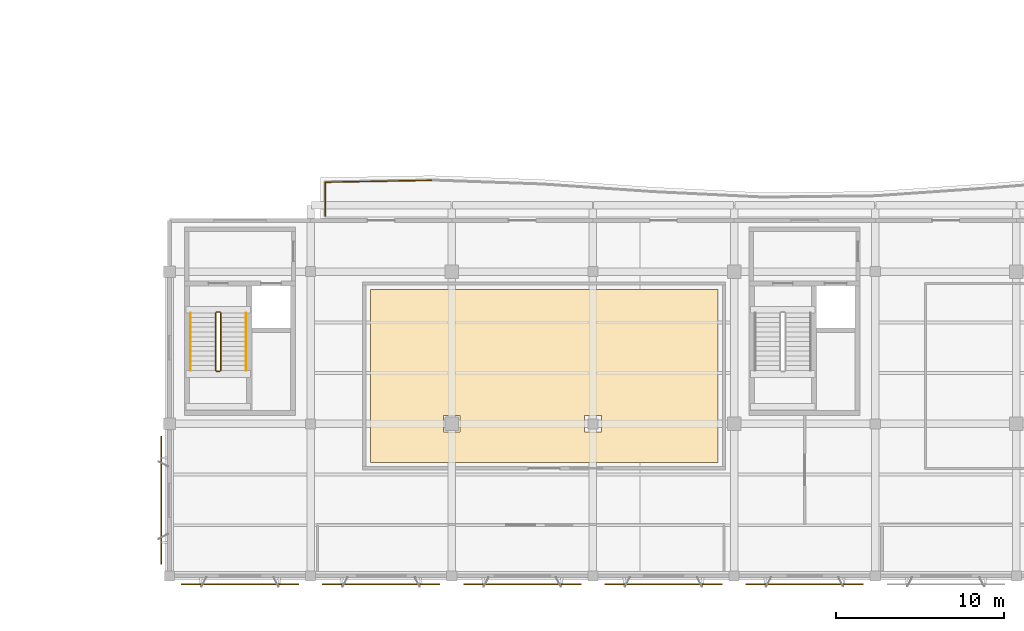
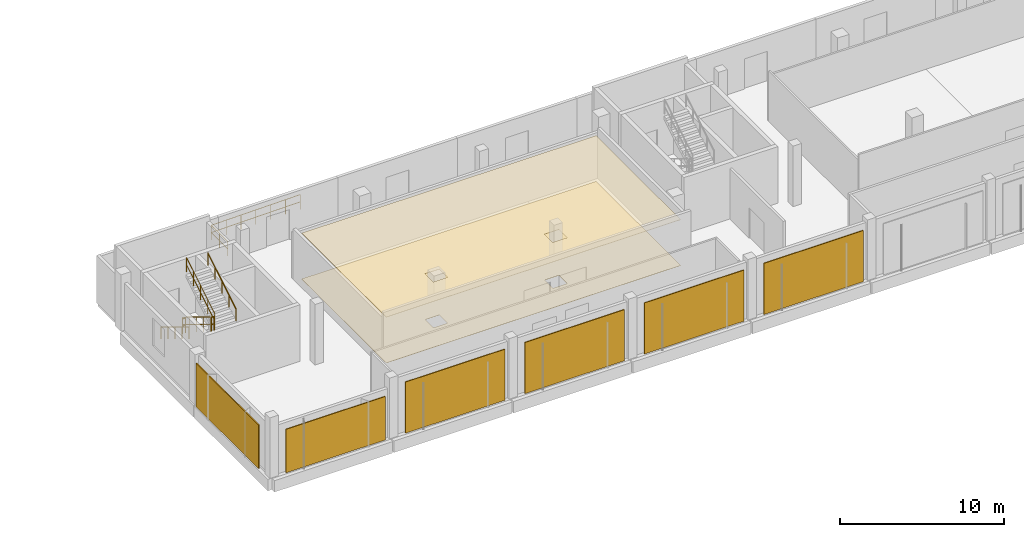
# One storey, part 24 of 28: 8 railings, 6 shading devices, 2 coverings.
"""IFC4 building model written with IfcOpenShell, lengths in metres."""

import ifcopenshell
import ifcopenshell.guid

model = None  # the IFC model being written
_history = None  # IfcOwnerHistory: only IFC2X3 demands one
_inside = {}  # id of a spatial element -> (the spatial element, [elements in it])
_under = {}  # id of a project, library or spatial element -> (it, [spatial elements below it])
_declared = {}  # id of a project -> (the project, [libraries it declares])
_typed = {}  # id of a type object -> (the type object, [elements of that type])
_made_of = {}  # id of a material, layer set ... -> (it, [elements and type objects made of it])


def new_model(schema):
    """Start an empty IFC model of exactly this schema.

    Asked for "IFC4X3", IfcOpenShell would pick the latest addendum, in which some entities
    have other attributes; the version numbers below select the first issue.
    IFC2X3 requires an IfcOwnerHistory on every rooted entity: one is made here for all.
    """
    global model, _history
    if schema == "IFC4X3":
        model = ifcopenshell.file(schema_version=(4, 3, 0, 0))
    else:
        model = ifcopenshell.file(schema=schema)
    _inside.clear()
    _under.clear()
    _declared.clear()
    _typed.clear()
    _made_of.clear()
    _history = None
    if model.schema == "IFC2X3":
        org = make("IfcOrganization", Name="unknown")
        user = make(
            "IfcPersonAndOrganization",
            ThePerson=make("IfcPerson", FamilyName="unknown"),
            TheOrganization=org,
        )
        app = make(
            "IfcApplication",
            ApplicationDeveloper=org,
            Version="unknown",
            ApplicationFullName="unknown",
            ApplicationIdentifier="unknown",
        )
        _history = make(
            "IfcOwnerHistory",
            OwningUser=user,
            OwningApplication=app,
            ChangeAction="ADDED",
            CreationDate=0,
        )
    return model


def make(cls, **values):
    """One entity of the class cls with the attributes given. An attribute that is None is left unset."""
    return model.create_entity(
        cls, **{name: value for name, value in values.items() if value is not None}
    )


def rooted(cls, **values):
    """An entity with a GlobalId (a new one), such as an element, a storey or a relation."""
    return make(cls, GlobalId=ifcopenshell.guid.new(), OwnerHistory=_history, **values)


def si_unit(unit_type, name, prefix=None):
    """IfcSIUnit, for example si_unit("LENGTHUNIT", "METRE", prefix="MILLI")."""
    return make("IfcSIUnit", UnitType=unit_type, Prefix=prefix, Name=name)


def assignment(units):
    """IfcUnitAssignment: the units of a project."""
    return None if units is None else make("IfcUnitAssignment", Units=units)


def point(xyz):
    """IfcCartesianPoint."""
    return None if xyz is None else make("IfcCartesianPoint", Coordinates=xyz)


def direction(xyz):
    """IfcDirection."""
    return None if xyz is None else make("IfcDirection", DirectionRatios=xyz)


def frame(location, z_axis=None, x_axis=None):
    """IfcAxis2Placement3D, a coordinate frame: its origin and axes. An axis left out is left unset."""
    return make(
        "IfcAxis2Placement3D",
        Location=point(location),
        Axis=direction(z_axis),
        RefDirection=direction(x_axis),
    )


def frame_2d(location, x_axis=None):
    """IfcAxis2Placement2D, a coordinate frame in the plane: its origin and x axis."""
    return make(
        "IfcAxis2Placement2D", Location=point(location), RefDirection=direction(x_axis)
    )


def origin():
    """The frame at (0, 0, 0) with its axes left unset."""
    return frame((0.0, 0.0, 0.0))


def origin_2d():
    """The frame at (0, 0) in the plane with its x axis left unset."""
    return frame_2d((0.0, 0.0))


def place(relative_to, where):
    """IfcLocalPlacement: puts the frame where relative to a parent placement (None: the world)."""
    return make(
        "IfcLocalPlacement", PlacementRelTo=relative_to, RelativePlacement=where
    )


def context(
    kind, dimensions, precision=None, world=None, true_north=None, identifier=None
):
    """IfcGeometricRepresentationContext, for example the 3D "Model" context."""
    return make(
        "IfcGeometricRepresentationContext",
        ContextIdentifier=identifier,
        ContextType=kind,
        CoordinateSpaceDimension=dimensions,
        Precision=precision,
        WorldCoordinateSystem=world,
        TrueNorth=true_north,
    )


def subcontext(parent, identifier, kind, view, scale=None):
    """IfcGeometricRepresentationSubContext, for example "Body" below "Model"."""
    return make(
        "IfcGeometricRepresentationSubContext",
        ContextIdentifier=identifier,
        ContextType=kind,
        ParentContext=parent,
        TargetScale=scale,
        TargetView=view,
    )


def project(units=None, contexts=None):
    """IfcProject with its units and contexts."""
    return rooted(
        "IfcProject",
        Name="project",
        RepresentationContexts=contexts,
        UnitsInContext=assignment(units),
    )


def spatial(cls, under=None, at=None, **own):
    """A site, building, storey or space (cls), placed at a placement, below another one or the project."""
    s = rooted(cls, ObjectPlacement=at, **own)
    if under is not None:
        _under.setdefault(under.id(), (under, []))[1].append(s)
    return s


def polyline(points):
    """IfcPolyline through the points."""
    return make("IfcPolyline", Points=[point(p) for p in points])


def profile(cls, at=None, kind="AREA", **sizes):
    """A parametric profile (cls). Its sizes go by their IFC names, for example OverallWidth=200.0."""
    return make(cls, ProfileType=kind, Position=at, **sizes)


def rectangle(**sizes):
    """IfcRectangleProfileDef."""
    return profile("IfcRectangleProfileDef", **sizes)


def circle(**sizes):
    """IfcCircleProfileDef."""
    return profile("IfcCircleProfileDef", **sizes)


def outline(outer, holes=None, kind="AREA"):
    """IfcArbitraryClosedProfileDef: a profile drawn as a closed curve; with holes, ...WithVoids."""
    if holes is None:
        return make("IfcArbitraryClosedProfileDef", ProfileType=kind, OuterCurve=outer)
    return make(
        "IfcArbitraryProfileDefWithVoids",
        ProfileType=kind,
        OuterCurve=outer,
        InnerCurves=holes,
    )


def extrude(swept, where, along, depth):
    """IfcExtrudedAreaSolid: the profile swept, set in the frame where, extruded along a direction by depth."""
    return make(
        "IfcExtrudedAreaSolid",
        SweptArea=swept,
        Position=where,
        ExtrudedDirection=direction(along),
        Depth=depth,
    )


def shape(context_of_items, identifier, shape_type, items):
    """IfcShapeRepresentation: the items that make up one representation, for example the "Body"."""
    return make(
        "IfcShapeRepresentation",
        ContextOfItems=context_of_items,
        RepresentationIdentifier=identifier,
        RepresentationType=shape_type,
        Items=items,
    )


def material(Name=None, Category=None):
    """IfcMaterial."""
    return make("IfcMaterial", Name=Name, Category=Category)


def layer(
    of_material, thickness, ventilated=None, Name=None, Category=None, Priority=None
):
    """IfcMaterialLayer: one layer of a wall or slab, of a material (None: an air gap)."""
    return make(
        "IfcMaterialLayer",
        Material=of_material,
        LayerThickness=thickness,
        IsVentilated=ventilated,
        Name=Name,
        Category=Category,
        Priority=Priority,
    )


def layer_set(layers, Name=None):
    """IfcMaterialLayerSet."""
    return make("IfcMaterialLayerSet", MaterialLayers=layers, LayerSetName=Name)


def made_of(thing, what):
    """Note that an element or type object is made of a material, layer set ...; save() writes the relation."""
    if what is not None:
        _made_of.setdefault(what.id(), (what, []))[1].append(thing)
    return thing


def type_object(cls, material=None, **own):
    """A type object (cls), such as IfcWallType, which elements share."""
    return made_of(rooted(cls, **own), material)


def element(
    cls,
    number,
    at=None,
    inside=None,
    cuts=None,
    type_object=None,
    material=None,
    context=None,
    identifier="Body",
    shape_type=None,
    held_by="IfcProductDefinitionShape",
    body=None,
    shapes=None,
    **own,
):
    """One element of the class cls, such as IfcWall. Its Tag is "e" and its number.

    at: its placement. inside: the storey or other place that contains it. cuts: it is an
    opening in that element (IfcRelVoidsElement). A single representation is given by context,
    identifier, shape_type and body (its items); several are given by shapes. held_by: the class
    of the entity that holds the representations. save() writes the other relations.
    """
    e = rooted(cls, Tag="e%d" % number, ObjectPlacement=at, **own)
    if body is not None:
        shapes = [shape(context, identifier, shape_type, body)]
    if shapes is not None:
        e.Representation = make(held_by, Representations=shapes)
    if inside is not None:
        _inside.setdefault(inside.id(), (inside, []))[1].append(e)
    if cuts is not None:
        rooted(
            "IfcRelVoidsElement", RelatingBuildingElement=cuts, RelatedOpeningElement=e
        )
    if type_object is not None:
        _typed.setdefault(type_object.id(), (type_object, []))[1].append(e)
    return made_of(e, material)


def aggregate(whole, parts):
    """IfcRelAggregates: a whole, such as a stair, and the parts it consists of."""
    return rooted("IfcRelAggregates", RelatingObject=whole, RelatedObjects=parts)


def save(model, path):
    """Write the relations noted so far, then the file.

    IfcRelAggregates (storeys below a building ...), IfcRelContainedInSpatialStructure (elements
    in a storey), IfcRelDefinesByType, IfcRelAssociatesMaterial and IfcRelDeclares: one each for
    every whole, place, type object, material and project.
    """
    for whole, parts in _under.values():
        aggregate(whole, parts)
    for where, things in _inside.values():
        rooted(
            "IfcRelContainedInSpatialStructure",
            RelatedElements=things,
            RelatingStructure=where,
        )
    for kind, things in _typed.values():
        rooted("IfcRelDefinesByType", RelatedObjects=things, RelatingType=kind)
    for what, things in _made_of.values():
        rooted("IfcRelAssociatesMaterial", RelatedObjects=things, RelatingMaterial=what)
    for by, libraries in _declared.values():
        rooted("IfcRelDeclares", RelatingContext=by, RelatedDefinitions=libraries)
    model.write(path)


model = new_model("IFC4")

# Units and contexts
model_context = context("Model", 3, precision=1e-05, world=origin(), true_north=direction((0.0, 1.0)))
body_context = subcontext(model_context, "Body", "Model", "MODEL_VIEW")
ifc_project = project(units=[si_unit("LENGTHUNIT", "METRE"), si_unit("AREAUNIT", "SQUARE_METRE"), si_unit("VOLUMEUNIT", "CUBIC_METRE"), si_unit("PLANEANGLEUNIT", "RADIAN"), si_unit("MASSUNIT", "GRAM", prefix="KILO")], contexts=[model_context])

# Site, building, storey
site_placement = place(None, origin())
site = spatial("IfcSite", under=ifc_project, at=site_placement, CompositionType="ELEMENT")
building_placement = place(site_placement, origin())
building = spatial("IfcBuilding", under=site, at=building_placement, Name="Khurvash Pelagic Aquarium", CompositionType="ELEMENT")
storey_placement = place(building_placement, frame((0.0, 0.0, 20.10009765625)))
storey = spatial("IfcBuildingStorey", under=building, at=storey_placement, Name="L04", CompositionType="ELEMENT", Elevation=20.10009765625)

# Railings
ifc_material_1 = material(Name="Laminated glass and stainless steel 316", Category="steel")
railing_type_1 = type_object("IfcRailingType", Name="BL-01", PredefinedType="BALUSTRADE", material=ifc_material_1)
railing_1_placement = place(storey_placement, frame((34.47998046875, 24.030029296875, 0.0)))
element("IfcRailing", 1, at=railing_1_placement, inside=storey, type_object=railing_type_1, Name="L04 Planted Terrace Perimeter Balustrade BL-01 0056", PredefinedType="BALUSTRADE", context=body_context, shape_type="SweptSolid", body=[
    extrude(circle(Radius=0.02392578125, at=origin_2d()), frame((0.0, 0.0, 1.076171875), z_axis=(0.0, 1.0, 0.0), x_axis=(-1.0, 0.0, 0.0)), (0.0, 0.0, 1.0), 1.994873046875),
    extrude(circle(Radius=0.02392578125, at=origin_2d()), frame((0.0, 0.0, 0.5380859375), z_axis=(0.0, 1.0, 0.0), x_axis=(-1.0, 0.0, 0.0)), (0.0, 0.0, 1.0), 1.994873046875),
    extrude(circle(Radius=0.02099609375, at=origin_2d()), origin(), (0.0, 0.0, 1.0), 1.052001953125),
    extrude(circle(Radius=0.02099609375, at=origin_2d()), frame((0.0, 0.99755859375, 0.0)), (0.0, 0.0, 1.0), 1.052001953125),
    extrude(circle(Radius=0.02099609375, at=origin_2d()), frame((0.0, 1.994873046875, 0.0)), (0.0, 0.0, 1.0), 1.052001953125),
])
railing_2_placement = place(storey_placement, frame((34.47998046875, 26.02490234375, 0.0)))
element("IfcRailing", 2, at=railing_2_placement, inside=storey, type_object=railing_type_1, Name="L04 Planted Terrace Perimeter Balustrade BL-01 0057", PredefinedType="BALUSTRADE", context=body_context, shape_type="SweptSolid", body=[
    extrude(circle(Radius=0.02392578125, at=origin_2d()), frame((0.0, 0.0, 1.076171875), z_axis=(0.99983994583, 0.017890855842, 0.0), x_axis=(-0.017890855842, 0.99983994583, 0.0)), (0.0, 0.0, 1.0), 6.318115234375),
    extrude(circle(Radius=0.02392578125, at=origin_2d()), frame((0.0, 0.0, 0.5380859375), z_axis=(0.99983994583, 0.017890855842, 0.0), x_axis=(-0.017890855842, 0.99983994583, 0.0)), (0.0, 0.0, 1.0), 6.318115234375),
    extrude(circle(Radius=0.02099609375, at=origin_2d()), origin(), (0.0, 0.0, 1.0), 1.052001953125),
    extrude(circle(Radius=0.02099609375, at=origin_2d()), frame((1.052734375, 0.018798828125, 0.0)), (0.0, 0.0, 1.0), 1.052001953125),
    extrude(circle(Radius=0.02099609375, at=origin_2d()), frame((2.105712890625, 0.03759765625, 0.0)), (0.0, 0.0, 1.0), 1.052001953125),
    extrude(circle(Radius=0.02099609375, at=origin_2d()), frame((3.15869140625, 0.056640625, 0.0)), (0.0, 0.0, 1.0), 1.052001953125),
    extrude(circle(Radius=0.02099609375, at=origin_2d()), frame((4.21142578125, 0.075439453125, 0.0)), (0.0, 0.0, 1.0), 1.052001953125),
    extrude(circle(Radius=0.02099609375, at=origin_2d()), frame((5.26416015625, 0.09423828125, 0.0)), (0.0, 0.0, 1.0), 1.052001953125),
    extrude(circle(Radius=0.02099609375, at=origin_2d()), frame((6.317138671875, 0.113037109375, 0.0)), (0.0, 0.0, 1.0), 1.052001953125),
])

# Coverings
ifc_material_2 = material(Name="Moisture-resistant acoustic mineral-fibre ceiling", Category="finish")
ifc_layer_1 = layer(ifc_material_2, 0.02490234375)
ifc_layer_set_1 = layer_set([ifc_layer_1], Name="Moisture-resistant acoustic mineral-fibre ceiling")
covering_type_1 = type_object("IfcCoveringType", Name="CV-CLG", PredefinedType="CEILING", material=ifc_layer_set_1)
covering_1_placement = place(storey_placement, frame((0.0, 0.0, 3.40283203125)))
element("IfcCovering", 3, at=covering_1_placement, inside=storey, type_object=covering_type_1, Name="L04 Sea Turtle Nesting Conservation Gallery Suspended Acoustic Ceiling", PredefinedType="CEILING", context=body_context, shape_type="SweptSolid", body=[
    extrude(outline(polyline([(37.14990234375, 19.64990234375), (37.14990234375, 9.35009765625), (57.85009765625, 9.35009765625), (57.85009765625, 19.64990234375), (37.14990234375, 19.64990234375)]), holes=[polyline([(42.5, 12.14990234375), (42.5, 11.14990234375), (41.5, 11.14990234375), (41.5, 12.14990234375), (42.5, 12.14990234375)]), polyline([(50.89990234375, 11.14990234375), (49.89990234375, 11.14990234375), (49.89990234375, 12.14990234375), (50.89990234375, 12.14990234375), (50.89990234375, 11.14990234375)])]), origin(), (0.0, 0.0, 1.0), 0.025146484375),
])
ifc_material_3 = material(Name="Slip-resistant terrazzo and epoxy resin flooring", Category="finish")
ifc_layer_2 = layer(ifc_material_3, 0.02001953125)
ifc_layer_set_2 = layer_set([ifc_layer_2], Name="Slip-resistant terrazzo and epoxy resin flooring")
covering_type_2 = type_object("IfcCoveringType", Name="CV-FLR", PredefinedType="FLOORING", material=ifc_layer_set_2)
covering_2_placement = place(storey_placement, origin())
element("IfcCovering", 4, at=covering_2_placement, inside=storey, type_object=covering_type_2, Name="L04 Sea Turtle Nesting Conservation Gallery Terrazzo Floor Finish", PredefinedType="FLOORING", context=body_context, shape_type="SweptSolid", body=[
    extrude(outline(polyline([(37.14990234375, 19.64990234375), (37.14990234375, 9.35009765625), (57.85009765625, 9.35009765625), (57.85009765625, 19.64990234375), (37.14990234375, 19.64990234375)]), holes=[polyline([(42.5, 12.14990234375), (42.5, 11.14990234375), (41.5, 11.14990234375), (41.5, 12.14990234375), (42.5, 12.14990234375)]), polyline([(50.89990234375, 11.14990234375), (49.89990234375, 11.14990234375), (49.89990234375, 12.14990234375), (50.89990234375, 12.14990234375), (50.89990234375, 11.14990234375)])]), origin(), (0.0, 0.0, 1.0), 0.02001953125),
])

# Railings
ifc_material_4 = material(Name="Powder-coated galvanised steel S355J2", Category="steel")
railing_type_2 = type_object("IfcRailingType", Name="GR-01", PredefinedType="GUARDRAIL", material=ifc_material_4)
railing_3_placement = place(storey_placement, frame((27.949951171875, 18.25, 0.173095703125)))
element("IfcRailing", 5, at=railing_3_placement, inside=storey, type_object=railing_type_2, Name="L04 ST-01 stair guard 1", PredefinedType="GUARDRAIL", context=body_context, shape_type="SweptSolid", body=[
    extrude(circle(Radius=0.02392578125, at=origin_2d()), frame((0.0, 0.0, 1.076171875), z_axis=(0.0, -0.854729506542, 0.519073665916), x_axis=(1.0, 0.0, 0.0)), (0.0, 0.0, 1.0), 4.001220703125),
    extrude(circle(Radius=0.02392578125, at=origin_2d()), frame((0.0, 0.0, 0.5380859375), z_axis=(0.0, -0.854729506542, 0.519073665916), x_axis=(1.0, 0.0, 0.0)), (0.0, 0.0, 1.0), 4.001220703125),
    extrude(circle(Radius=0.02099609375, at=origin_2d()), origin(), (0.0, 0.0, 1.0), 1.052001953125),
    extrude(circle(Radius=0.02099609375, at=origin_2d()), frame((0.0, -0.85498046875, 0.519287109375)), (0.0, 0.0, 1.0), 1.052001953125),
    extrude(circle(Radius=0.02099609375, at=origin_2d()), frame((0.0, -1.7099609375, 1.03857421875)), (0.0, 0.0, 1.0), 1.052001953125),
    extrude(circle(Radius=0.02099609375, at=origin_2d()), frame((0.0, -2.56494140625, 1.5576171875)), (0.0, 0.0, 1.0), 1.052001953125),
    extrude(circle(Radius=0.02099609375, at=origin_2d()), frame((0.0, -3.419921875, 2.076904296875)), (0.0, 0.0, 1.0), 1.052001953125),
])
railing_4_placement = place(storey_placement, frame((28.0, 14.780029296875, 2.25)))
element("IfcRailing", 6, at=railing_4_placement, inside=storey, type_object=railing_type_2, Name="L04 ST-01 stair guard 2", PredefinedType="GUARDRAIL", context=body_context, shape_type="SweptSolid", body=[
    extrude(circle(Radius=0.02392578125, at=origin_2d()), frame((0.0, 0.0, 1.076171875), z_axis=(1.0, 0.0, 0.0), x_axis=(0.0, 1.0, 0.0)), (0.0, 0.0, 1.0), 0.199951171875),
    extrude(circle(Radius=0.02392578125, at=origin_2d()), frame((0.0, 0.0, 0.5380859375), z_axis=(1.0, 0.0, 0.0), x_axis=(0.0, 1.0, 0.0)), (0.0, 0.0, 1.0), 0.199951171875),
    extrude(circle(Radius=0.02099609375, at=origin_2d()), origin(), (0.0, 0.0, 1.0), 1.052001953125),
    extrude(circle(Radius=0.02099609375, at=origin_2d()), frame((0.199951171875, 0.0, 0.0)), (0.0, 0.0, 1.0), 1.052001953125),
])
railing_5_placement = place(storey_placement, frame((28.25, 14.830078125, 2.423095703125)))
element("IfcRailing", 7, at=railing_5_placement, inside=storey, type_object=railing_type_2, Name="L04 ST-01 stair guard 3", PredefinedType="GUARDRAIL", context=body_context, shape_type="SweptSolid", body=[
    extrude(circle(Radius=0.02392578125, at=origin_2d()), frame((0.0, 0.0, 1.076171875), z_axis=(0.0, 0.854729506542, 0.519073665916), x_axis=(-1.0, 0.0, 0.0)), (0.0, 0.0, 1.0), 4.001220703125),
    extrude(circle(Radius=0.02392578125, at=origin_2d()), frame((0.0, 0.0, 0.5380859375), z_axis=(0.0, 0.854729506542, 0.519073665916), x_axis=(-1.0, 0.0, 0.0)), (0.0, 0.0, 1.0), 4.001220703125),
    extrude(circle(Radius=0.02099609375, at=origin_2d()), origin(), (0.0, 0.0, 1.0), 1.052001953125),
    extrude(circle(Radius=0.02099609375, at=origin_2d()), frame((0.0, 0.85498046875, 0.519287109375)), (0.0, 0.0, 1.0), 1.052001953125),
    extrude(circle(Radius=0.02099609375, at=origin_2d()), frame((0.0, 1.7099609375, 1.03857421875)), (0.0, 0.0, 1.0), 1.052001953125),
    extrude(circle(Radius=0.02099609375, at=origin_2d()), frame((0.0, 2.56494140625, 1.5576171875)), (0.0, 0.0, 1.0), 1.052001953125),
    extrude(circle(Radius=0.02099609375, at=origin_2d()), frame((0.0, 3.419921875, 2.076904296875)), (0.0, 0.0, 1.0), 1.052001953125),
])
railing_6_placement = place(storey_placement, frame((28.0, 18.300048828125, 0.0)))
element("IfcRailing", 8, at=railing_6_placement, inside=storey, type_object=railing_type_2, Name="L04 ST-01 stair guard 4", PredefinedType="GUARDRAIL", context=body_context, shape_type="SweptSolid", body=[
    extrude(circle(Radius=0.02392578125, at=origin_2d()), frame((0.0, 0.0, 1.076171875), z_axis=(1.0, 0.0, 0.0), x_axis=(0.0, 1.0, 0.0)), (0.0, 0.0, 1.0), 0.199951171875),
    extrude(circle(Radius=0.02392578125, at=origin_2d()), frame((0.0, 0.0, 0.5380859375), z_axis=(1.0, 0.0, 0.0), x_axis=(0.0, 1.0, 0.0)), (0.0, 0.0, 1.0), 0.199951171875),
    extrude(circle(Radius=0.02099609375, at=origin_2d()), origin(), (0.0, 0.0, 1.0), 1.052001953125),
    extrude(circle(Radius=0.02099609375, at=origin_2d()), frame((0.199951171875, 0.0, 0.0)), (0.0, 0.0, 1.0), 1.052001953125),
])
ifc_material_5 = material(Name="Brushed stainless steel 316", Category="steel")
railing_type_3 = type_object("IfcRailingType", Name="HR-01", PredefinedType="HANDRAIL", material=ifc_material_5)
railing_7_placement = place(storey_placement, frame((26.449951171875, 18.25, 0.173095703125)))
element("IfcRailing", 9, at=railing_7_placement, inside=storey, type_object=railing_type_3, Name="L04 ST-01 stair handrail 1", PredefinedType="HANDRAIL", context=body_context, shape_type="SweptSolid", body=[
    extrude(circle(Radius=0.02392578125, at=origin_2d()), frame((0.0, 0.0, 0.8759765625), z_axis=(0.0, -0.854729506542, 0.519073665916), x_axis=(1.0, 0.0, 0.0)), (0.0, 0.0, 1.0), 4.001220703125),
    extrude(circle(Radius=0.02099609375, at=origin_2d()), origin(), (0.0, 0.0, 1.0), 0.851806640625),
    extrude(circle(Radius=0.02099609375, at=origin_2d()), frame((0.0, -0.85498046875, 0.519287109375)), (0.0, 0.0, 1.0), 0.851806640625),
    extrude(circle(Radius=0.02099609375, at=origin_2d()), frame((0.0, -1.7099609375, 1.03857421875)), (0.0, 0.0, 1.0), 0.851806640625),
    extrude(circle(Radius=0.02099609375, at=origin_2d()), frame((0.0, -2.56494140625, 1.5576171875)), (0.0, 0.0, 1.0), 0.851806640625),
    extrude(circle(Radius=0.02099609375, at=origin_2d()), frame((0.0, -3.419921875, 2.076904296875)), (0.0, 0.0, 1.0), 0.851806640625),
])
railing_8_placement = place(storey_placement, frame((29.75, 14.830078125, 2.423095703125)))
element("IfcRailing", 10, at=railing_8_placement, inside=storey, type_object=railing_type_3, Name="L04 ST-01 stair handrail 2", PredefinedType="HANDRAIL", context=body_context, shape_type="SweptSolid", body=[
    extrude(circle(Radius=0.02392578125, at=origin_2d()), frame((0.0, 0.0, 0.8759765625), z_axis=(0.0, 0.854729506542, 0.519073665916), x_axis=(-1.0, 0.0, 0.0)), (0.0, 0.0, 1.0), 4.001220703125),
    extrude(circle(Radius=0.02099609375, at=origin_2d()), origin(), (0.0, 0.0, 1.0), 0.851806640625),
    extrude(circle(Radius=0.02099609375, at=origin_2d()), frame((0.0, 0.85498046875, 0.519287109375)), (0.0, 0.0, 1.0), 0.851806640625),
    extrude(circle(Radius=0.02099609375, at=origin_2d()), frame((0.0, 1.7099609375, 1.03857421875)), (0.0, 0.0, 1.0), 0.851806640625),
    extrude(circle(Radius=0.02099609375, at=origin_2d()), frame((0.0, 2.56494140625, 1.5576171875)), (0.0, 0.0, 1.0), 0.851806640625),
    extrude(circle(Radius=0.02099609375, at=origin_2d()), frame((0.0, 3.419921875, 2.076904296875)), (0.0, 0.0, 1.0), 0.851806640625),
])

# Shading devices
ifc_material_6 = material(Name="Extruded anodised aluminium fin", Category="aluminium")
ifc_layer_3 = layer(ifc_material_6, 0.074951171875)
ifc_layer_set_3 = layer_set([ifc_layer_3], Name="Extruded anodised aluminium fin")
shading_device_type_1 = type_object("IfcShadingDeviceType", Name="SH-FIN", PredefinedType="USERDEFINED", material=ifc_layer_set_3)
shading_device_1_placement = place(storey_placement, frame((24.7099609375, 7.10009765625, 0.200439453125), z_axis=(0.0, 0.0, 1.0), x_axis=(0.0, -1.0, 0.0)))
element("IfcShadingDevice", 11, at=shading_device_1_placement, inside=storey, type_object=shading_device_type_1, Name="L04 Perforated Aluminium Jali Screen SH-FIN 0065", ObjectType="SOLAR FIN", PredefinedType="USERDEFINED", context=body_context, shape_type="SweptSolid", body=[
    extrude(rectangle(XDim=7.590087890625, YDim=0.074951171875, at=origin_2d()), origin(), (0.0, 0.0, 1.0), 3.23095703125),
])
ifc_material_7 = material(Name="Perforated anodised aluminium AW-5005", Category="aluminium")
ifc_layer_4 = layer(ifc_material_7, 0.06005859375)
ifc_layer_set_4 = layer_set([ifc_layer_4], Name="Perforated anodised aluminium AW-5005")
shading_device_type_2 = type_object("IfcShadingDeviceType", Name="SH-JAL", PredefinedType="JALOUSIE", material=ifc_layer_set_4)
shading_device_2_placement = place(storey_placement, frame((29.39990234375, 2.110107421875, 0.200439453125), z_axis=(0.0, 0.0, 1.0), x_axis=(1.0, 0.0, 0.0)))
element("IfcShadingDevice", 12, at=shading_device_2_placement, inside=storey, type_object=shading_device_type_2, Name="L04 Perforated Aluminium Jali Screen SH-JAL 0055", PredefinedType="JALOUSIE", context=body_context, shape_type="SweptSolid", body=[
    extrude(rectangle(XDim=6.989990234375, YDim=0.06005859375, at=origin_2d()), origin(), (0.0, 0.0, 1.0), 3.23095703125),
])
for number, where, z_axis, x_axis, name in (
    (13, (37.800048828125, 2.110107421875, 0.19970703125), (0.0, 0.0, 1.0), (1.0, 0.0, 0.0), "L04 Perforated Aluminium Jali Screen SH-JAL 0056"),
    (14, (46.199951171875, 2.110107421875, 0.19970703125), (0.0, 0.0, 1.0), (1.0, 0.0, 0.0), "L04 Perforated Aluminium Jali Screen SH-JAL 0057"),
    (15, (54.60009765625, 2.110107421875, 0.19970703125), (0.0, 0.0, 1.0), (1.0, 0.0, 0.0), "L04 Perforated Aluminium Jali Screen SH-JAL 0058"),
    (16, (63.0, 2.110107421875, 0.19970703125), (0.0, 0.0, 1.0), (1.0, 0.0, 0.0), "L04 Perforated Aluminium Jali Screen SH-JAL 0059"),
):
    element("IfcShadingDevice", number, at=place(storey_placement, frame(where, z_axis=z_axis, x_axis=x_axis)), inside=storey, type_object=shading_device_type_2, Name=name, PredefinedType="JALOUSIE", context=body_context, shape_type="SweptSolid", body=[
        extrude(rectangle(XDim=6.989990234375, YDim=0.06005859375, at=origin_2d()), origin(), (0.0, 0.0, 1.0), 3.800048828125),
    ])

save(model, "model.ifc")
